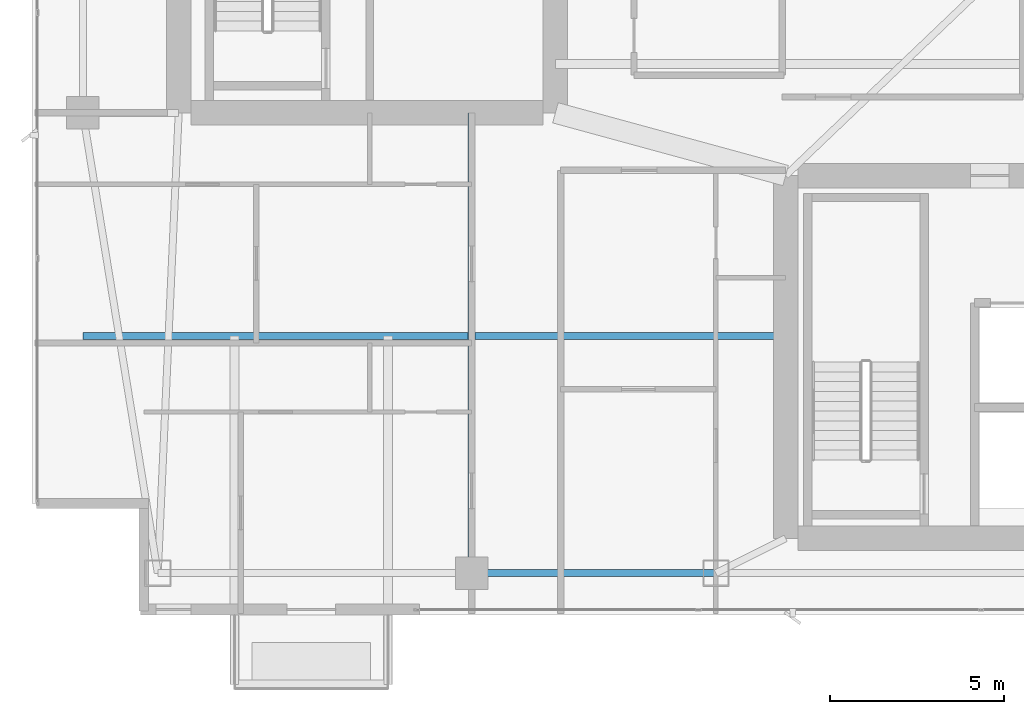
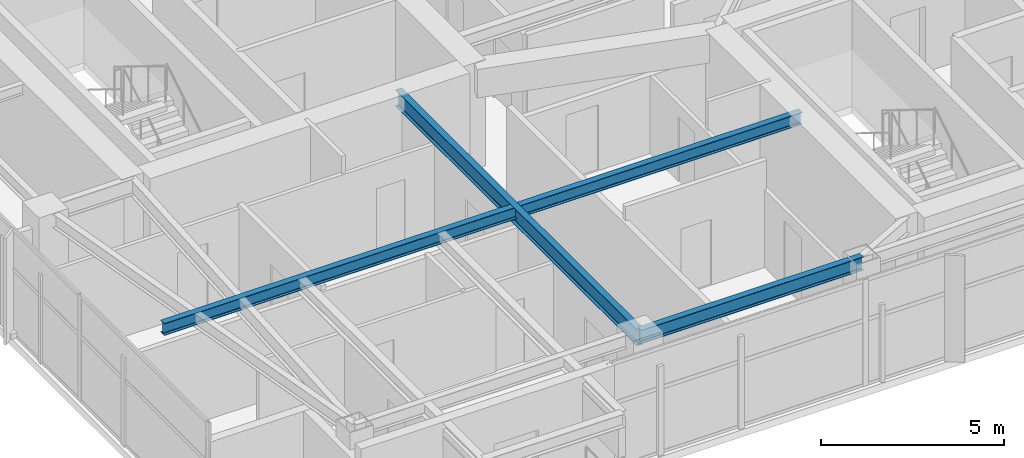
# One storey, part 6 of 29: 3 beams.
"""IFC4 building model written with IfcOpenShell, lengths in metres."""

from ifc_helpers import new_model, si_unit, direction, frame, origin, origin_2d, place, context, subcontext, project, spatial, i_section, extrude, material, material_profile, profile_set, type_object, element, save


model = new_model("IFC4")

# Units and contexts
model_context = context("Model", 3, precision=1e-05, world=origin(), true_north=direction((0.0, 1.0)))
body_context = subcontext(model_context, "Body", "Model", "MODEL_VIEW")
ifc_project = project(units=[si_unit("LENGTHUNIT", "METRE"), si_unit("AREAUNIT", "SQUARE_METRE"), si_unit("VOLUMEUNIT", "CUBIC_METRE"), si_unit("PLANEANGLEUNIT", "RADIAN"), si_unit("MASSUNIT", "GRAM", prefix="KILO")], contexts=[model_context])

# Site, building, storey
site_placement = place(None, origin())
site = spatial("IfcSite", under=ifc_project, at=site_placement, CompositionType="ELEMENT")
building_placement = place(site_placement, origin())
building = spatial("IfcBuilding", under=site, at=building_placement, Name="Calvorn Quay Hotel", CompositionType="ELEMENT")
storey_placement = place(building_placement, frame((0.0, 0.0, 247.60009765625)))
storey = spatial("IfcBuildingStorey", under=building, at=storey_placement, Name="L61", CompositionType="ELEMENT", Elevation=247.60009765625)

# Beams
ifc_material_1 = material(Name="Steel Q355B", Category="steel")
ifc_material_profile_1 = material_profile(ifc_material_1, i_section(OverallWidth=0.199951171875, OverallDepth=0.550048828125, WebThickness=0.010009765625, FlangeThickness=0.01611328125, FilletRadius=0.01806640625, at=origin_2d()), Name="HN550x200x10x16")
ifc_profile_set_1 = profile_set([ifc_material_profile_1], Name="Steel Q355B")
beam_type_1 = type_object("IfcBeamType", Name="BM-GIRD-UPP", PredefinedType="BEAM", material=ifc_profile_set_1)
beam_1_placement = place(storey_placement, frame((12.60009765625, 3.60009765625, 3.264892578125), z_axis=(0.0, 1.0, 0.0), x_axis=(-1.0, 0.0, 0.0)))
element("IfcBeam", 1, at=beam_1_placement, inside=storey, type_object=beam_type_1, Name="Beam BG-L61-S1", PredefinedType="BEAM", context=body_context, shape_type="SweptSolid", body=[
    extrude(i_section(OverallWidth=0.199951171875, OverallDepth=0.550048828125, WebThickness=0.010009765625, FlangeThickness=0.01611328125, FilletRadius=0.01806640625, at=origin_2d()), origin(), (0.0, 0.0, 1.0), 13.199951171875),
])
ifc_material_2 = material(Name="Steel Q355B", Category="steel")
ifc_material_profile_2 = material_profile(ifc_material_2, i_section(OverallWidth=0.199951171875, OverallDepth=0.39990234375, WebThickness=0.008056640625, FlangeThickness=0.012939453125, FilletRadius=0.01611328125, at=origin_2d()), Name="HN400x200x8x13")
ifc_profile_set_2 = profile_set([ifc_material_profile_2], Name="Steel Q355B")
beam_type_2 = type_object("IfcBeamType", Name="BM-JOIST-TYP", PredefinedType="JOIST", material=ifc_profile_set_2)
beam_2_placement = place(storey_placement, frame((1.449951171875, 10.39990234375, 3.33984375), z_axis=(1.0, 0.0, 0.0), x_axis=(0.0, 1.0, 0.0)))
element("IfcBeam", 2, at=beam_2_placement, inside=storey, type_object=beam_type_2, Name="Beam BJ-L61-W1", PredefinedType="JOIST", context=body_context, shape_type="SweptSolid", body=[
    extrude(i_section(OverallWidth=0.199951171875, OverallDepth=0.39990234375, WebThickness=0.008056640625, FlangeThickness=0.012939453125, FilletRadius=0.01611328125, at=origin_2d()), origin(), (0.0, 0.0, 1.0), 20.150146484375),
])
ifc_material_3 = material(Name="Steel Q355B", Category="steel")
ifc_material_profile_3 = material_profile(ifc_material_3, i_section(OverallWidth=0.199951171875, OverallDepth=0.449951171875, WebThickness=0.009033203125, FlangeThickness=0.013916015625, FilletRadius=0.01611328125, at=origin_2d()), Name="HN450x200x9x14")
ifc_profile_set_3 = profile_set([ifc_material_profile_3], Name="Steel Q355B")
beam_type_3 = type_object("IfcBeamType", Name="BM-SPANDREL-Z3", PredefinedType="SPANDREL", material=ifc_profile_set_3)
beam_3_placement = place(storey_placement, frame((12.60009765625, 3.60009765625, 3.31494140625), z_axis=(1.0, 0.0, 0.0), x_axis=(0.0, 1.0, 0.0)))
element("IfcBeam", 3, at=beam_3_placement, inside=storey, type_object=beam_type_3, Name="Beam BSP-L61-S2", PredefinedType="SPANDREL", context=body_context, shape_type="SweptSolid", body=[
    extrude(i_section(OverallWidth=0.199951171875, OverallDepth=0.449951171875, WebThickness=0.009033203125, FlangeThickness=0.013916015625, FilletRadius=0.01611328125, at=origin_2d()), origin(), (0.0, 0.0, 1.0), 7.0),
])

save(model, "model.ifc")
